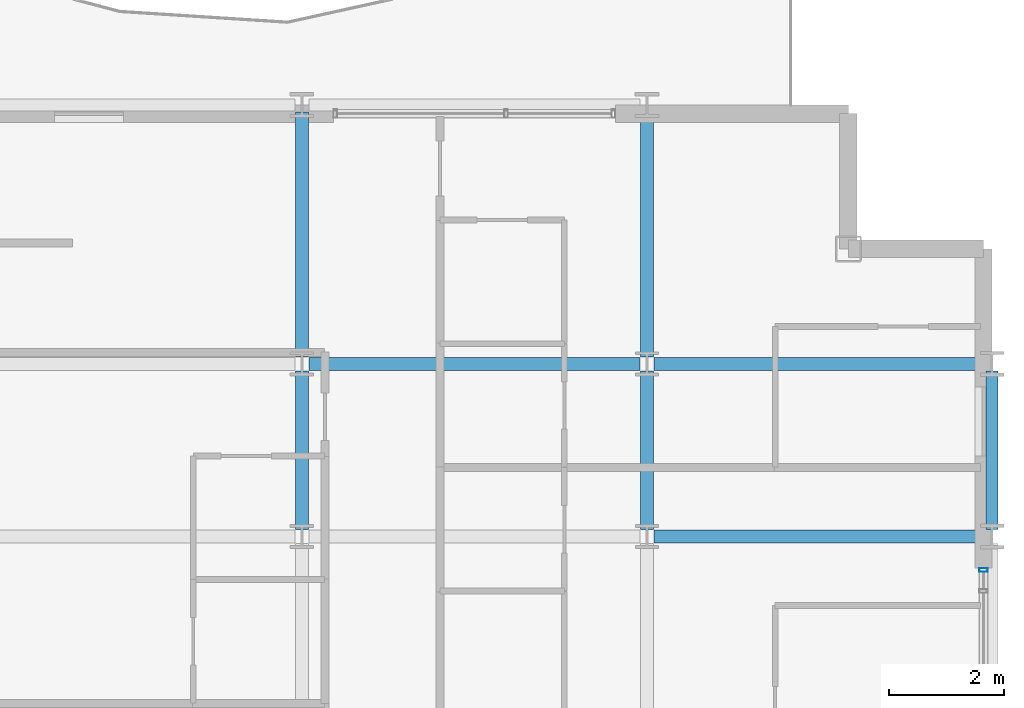
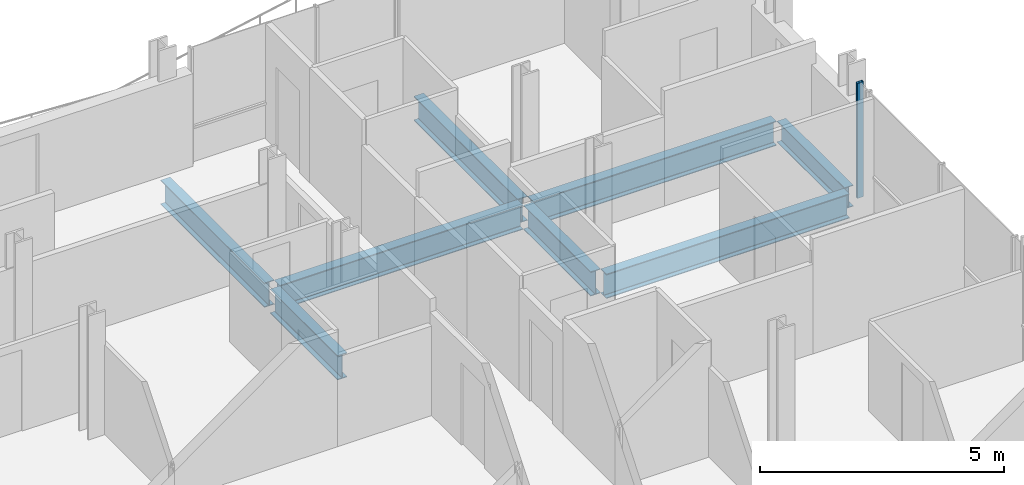
# One storey, part 20 of 40: 8 beams, 1 member, 1 element without a shape of its own.
"""IFC4 building model written with IfcOpenShell, lengths in metres."""

import ifcopenshell
import ifcopenshell.guid

model = None  # the IFC model being written
_history = None  # IfcOwnerHistory: only IFC2X3 demands one
_inside = {}  # id of a spatial element -> (the spatial element, [elements in it])
_under = {}  # id of a project, library or spatial element -> (it, [spatial elements below it])
_declared = {}  # id of a project -> (the project, [libraries it declares])
_typed = {}  # id of a type object -> (the type object, [elements of that type])
_made_of = {}  # id of a material, layer set ... -> (it, [elements and type objects made of it])


def new_model(schema):
    """Start an empty IFC model of exactly this schema.

    Asked for "IFC4X3", IfcOpenShell would pick the latest addendum, in which some entities
    have other attributes; the version numbers below select the first issue.
    IFC2X3 requires an IfcOwnerHistory on every rooted entity: one is made here for all.
    """
    global model, _history
    if schema == "IFC4X3":
        model = ifcopenshell.file(schema_version=(4, 3, 0, 0))
    else:
        model = ifcopenshell.file(schema=schema)
    _inside.clear()
    _under.clear()
    _declared.clear()
    _typed.clear()
    _made_of.clear()
    _history = None
    if model.schema == "IFC2X3":
        org = make("IfcOrganization", Name="unknown")
        user = make(
            "IfcPersonAndOrganization",
            ThePerson=make("IfcPerson", FamilyName="unknown"),
            TheOrganization=org,
        )
        app = make(
            "IfcApplication",
            ApplicationDeveloper=org,
            Version="unknown",
            ApplicationFullName="unknown",
            ApplicationIdentifier="unknown",
        )
        _history = make(
            "IfcOwnerHistory",
            OwningUser=user,
            OwningApplication=app,
            ChangeAction="ADDED",
            CreationDate=0,
        )
    return model


def make(cls, **values):
    """One entity of the class cls with the attributes given. An attribute that is None is left unset."""
    return model.create_entity(
        cls, **{name: value for name, value in values.items() if value is not None}
    )


def rooted(cls, **values):
    """An entity with a GlobalId (a new one), such as an element, a storey or a relation."""
    return make(cls, GlobalId=ifcopenshell.guid.new(), OwnerHistory=_history, **values)


def si_unit(unit_type, name, prefix=None):
    """IfcSIUnit, for example si_unit("LENGTHUNIT", "METRE", prefix="MILLI")."""
    return make("IfcSIUnit", UnitType=unit_type, Prefix=prefix, Name=name)


def assignment(units):
    """IfcUnitAssignment: the units of a project."""
    return None if units is None else make("IfcUnitAssignment", Units=units)


def point(xyz):
    """IfcCartesianPoint."""
    return None if xyz is None else make("IfcCartesianPoint", Coordinates=xyz)


def direction(xyz):
    """IfcDirection."""
    return None if xyz is None else make("IfcDirection", DirectionRatios=xyz)


def frame(location, z_axis=None, x_axis=None):
    """IfcAxis2Placement3D, a coordinate frame: its origin and axes. An axis left out is left unset."""
    return make(
        "IfcAxis2Placement3D",
        Location=point(location),
        Axis=direction(z_axis),
        RefDirection=direction(x_axis),
    )


def frame_2d(location, x_axis=None):
    """IfcAxis2Placement2D, a coordinate frame in the plane: its origin and x axis."""
    return make(
        "IfcAxis2Placement2D", Location=point(location), RefDirection=direction(x_axis)
    )


def origin():
    """The frame at (0, 0, 0) with its axes left unset."""
    return frame((0.0, 0.0, 0.0))


def origin_2d():
    """The frame at (0, 0) in the plane with its x axis left unset."""
    return frame_2d((0.0, 0.0))


def place(relative_to, where):
    """IfcLocalPlacement: puts the frame where relative to a parent placement (None: the world)."""
    return make(
        "IfcLocalPlacement", PlacementRelTo=relative_to, RelativePlacement=where
    )


def context(
    kind, dimensions, precision=None, world=None, true_north=None, identifier=None
):
    """IfcGeometricRepresentationContext, for example the 3D "Model" context."""
    return make(
        "IfcGeometricRepresentationContext",
        ContextIdentifier=identifier,
        ContextType=kind,
        CoordinateSpaceDimension=dimensions,
        Precision=precision,
        WorldCoordinateSystem=world,
        TrueNorth=true_north,
    )


def subcontext(parent, identifier, kind, view, scale=None):
    """IfcGeometricRepresentationSubContext, for example "Body" below "Model"."""
    return make(
        "IfcGeometricRepresentationSubContext",
        ContextIdentifier=identifier,
        ContextType=kind,
        ParentContext=parent,
        TargetScale=scale,
        TargetView=view,
    )


def project(units=None, contexts=None):
    """IfcProject with its units and contexts."""
    return rooted(
        "IfcProject",
        Name="project",
        RepresentationContexts=contexts,
        UnitsInContext=assignment(units),
    )


def spatial(cls, under=None, at=None, **own):
    """A site, building, storey or space (cls), placed at a placement, below another one or the project."""
    s = rooted(cls, ObjectPlacement=at, **own)
    if under is not None:
        _under.setdefault(under.id(), (under, []))[1].append(s)
    return s


def profile(cls, at=None, kind="AREA", **sizes):
    """A parametric profile (cls). Its sizes go by their IFC names, for example OverallWidth=200.0."""
    return make(cls, ProfileType=kind, Position=at, **sizes)


def hollow_rectangle(**sizes):
    """IfcRectangleHollowProfileDef."""
    return profile("IfcRectangleHollowProfileDef", **sizes)


def i_section(**sizes):
    """IfcIShapeProfileDef."""
    return profile("IfcIShapeProfileDef", **sizes)


def extrude(swept, where, along, depth):
    """IfcExtrudedAreaSolid: the profile swept, set in the frame where, extruded along a direction by depth."""
    return make(
        "IfcExtrudedAreaSolid",
        SweptArea=swept,
        Position=where,
        ExtrudedDirection=direction(along),
        Depth=depth,
    )


def shape(context_of_items, identifier, shape_type, items):
    """IfcShapeRepresentation: the items that make up one representation, for example the "Body"."""
    return make(
        "IfcShapeRepresentation",
        ContextOfItems=context_of_items,
        RepresentationIdentifier=identifier,
        RepresentationType=shape_type,
        Items=items,
    )


def material(Name=None, Category=None):
    """IfcMaterial."""
    return make("IfcMaterial", Name=Name, Category=Category)


def layer(
    of_material, thickness, ventilated=None, Name=None, Category=None, Priority=None
):
    """IfcMaterialLayer: one layer of a wall or slab, of a material (None: an air gap)."""
    return make(
        "IfcMaterialLayer",
        Material=of_material,
        LayerThickness=thickness,
        IsVentilated=ventilated,
        Name=Name,
        Category=Category,
        Priority=Priority,
    )


def layer_set(layers, Name=None):
    """IfcMaterialLayerSet."""
    return make("IfcMaterialLayerSet", MaterialLayers=layers, LayerSetName=Name)


def material_profile(
    of_material, cross_section, Name=None, Category=None, Priority=None
):
    """IfcMaterialProfile: a cross section and its material."""
    return make(
        "IfcMaterialProfile",
        Name=Name,
        Material=of_material,
        Profile=cross_section,
        Priority=Priority,
        Category=Category,
    )


def profile_set(profiles, Name=None, composite=None):
    """IfcMaterialProfileSet."""
    return make(
        "IfcMaterialProfileSet",
        Name=Name,
        MaterialProfiles=profiles,
        CompositeProfile=composite,
    )


def made_of(thing, what):
    """Note that an element or type object is made of a material, layer set ...; save() writes the relation."""
    if what is not None:
        _made_of.setdefault(what.id(), (what, []))[1].append(thing)
    return thing


def type_object(cls, material=None, **own):
    """A type object (cls), such as IfcWallType, which elements share."""
    return made_of(rooted(cls, **own), material)


def element(
    cls,
    number,
    at=None,
    inside=None,
    cuts=None,
    type_object=None,
    material=None,
    context=None,
    identifier="Body",
    shape_type=None,
    held_by="IfcProductDefinitionShape",
    body=None,
    shapes=None,
    **own,
):
    """One element of the class cls, such as IfcWall. Its Tag is "e" and its number.

    at: its placement. inside: the storey or other place that contains it. cuts: it is an
    opening in that element (IfcRelVoidsElement). A single representation is given by context,
    identifier, shape_type and body (its items); several are given by shapes. held_by: the class
    of the entity that holds the representations. save() writes the other relations.
    """
    e = rooted(cls, Tag="e%d" % number, ObjectPlacement=at, **own)
    if body is not None:
        shapes = [shape(context, identifier, shape_type, body)]
    if shapes is not None:
        e.Representation = make(held_by, Representations=shapes)
    if inside is not None:
        _inside.setdefault(inside.id(), (inside, []))[1].append(e)
    if cuts is not None:
        rooted(
            "IfcRelVoidsElement", RelatingBuildingElement=cuts, RelatedOpeningElement=e
        )
    if type_object is not None:
        _typed.setdefault(type_object.id(), (type_object, []))[1].append(e)
    return made_of(e, material)


def aggregate(whole, parts):
    """IfcRelAggregates: a whole, such as a stair, and the parts it consists of."""
    return rooted("IfcRelAggregates", RelatingObject=whole, RelatedObjects=parts)


def save(model, path):
    """Write the relations noted so far, then the file.

    IfcRelAggregates (storeys below a building ...), IfcRelContainedInSpatialStructure (elements
    in a storey), IfcRelDefinesByType, IfcRelAssociatesMaterial and IfcRelDeclares: one each for
    every whole, place, type object, material and project.
    """
    for whole, parts in _under.values():
        aggregate(whole, parts)
    for where, things in _inside.values():
        rooted(
            "IfcRelContainedInSpatialStructure",
            RelatedElements=things,
            RelatingStructure=where,
        )
    for kind, things in _typed.values():
        rooted("IfcRelDefinesByType", RelatedObjects=things, RelatingType=kind)
    for what, things in _made_of.values():
        rooted("IfcRelAssociatesMaterial", RelatedObjects=things, RelatingMaterial=what)
    for by, libraries in _declared.values():
        rooted("IfcRelDeclares", RelatingContext=by, RelatedDefinitions=libraries)
    model.write(path)


model = new_model("IFC4")

# Units and contexts
model_context = context("Model", 3, precision=1e-05, world=origin(), true_north=direction((0.0, 1.0)))
body_context = subcontext(model_context, "Body", "Model", "MODEL_VIEW")
ifc_project = project(units=[si_unit("LENGTHUNIT", "METRE"), si_unit("AREAUNIT", "SQUARE_METRE"), si_unit("VOLUMEUNIT", "CUBIC_METRE"), si_unit("PLANEANGLEUNIT", "RADIAN"), si_unit("MASSUNIT", "GRAM", prefix="KILO")], contexts=[model_context])

# Site, building, storey
site_placement = place(None, origin())
site = spatial("IfcSite", under=ifc_project, at=site_placement, CompositionType="ELEMENT")
building_placement = place(site_placement, origin())
building = spatial("IfcBuilding", under=site, at=building_placement, Name="Brevholm Reach", CompositionType="ELEMENT")
storey_placement = place(building_placement, frame((0.0, 0.0, 125.199951171875)))
storey = spatial("IfcBuildingStorey", under=building, at=storey_placement, Name="L37", CompositionType="ELEMENT", Elevation=125.199951171875)

# Beams
ifc_material_1 = material(Name="Structural Steel S355J2", Category="steel")
ifc_material_profile_1 = material_profile(ifc_material_1, i_section(OverallWidth=0.209228515625, OverallDepth=0.533203125, WebThickness=0.010009765625, FlangeThickness=0.015625, FilletRadius=0.0126953125, at=origin_2d()), Name="UKB 533x210x92")
ifc_profile_set_1 = profile_set([ifc_material_profile_1], Name="Structural Steel S355J2")
beam_type_1 = type_object("IfcBeamType", Name="BM-SP533", PredefinedType="SPANDREL", material=ifc_profile_set_1)
beam_1_placement = place(storey_placement, frame((60.0, 23.6201171875, -0.486572265625), z_axis=(0.0, 1.0, 0.0), x_axis=(-1.0, 0.0, 0.0)))
element("IfcBeam", 1, at=beam_1_placement, inside=storey, type_object=beam_type_1, Name="L37 SP-02 Framing Beam", PredefinedType="SPANDREL", context=body_context, shape_type="SweptSolid", body=[
    extrude(i_section(OverallWidth=0.209228515625, OverallDepth=0.533203125, WebThickness=0.010009765625, FlangeThickness=0.015625, FilletRadius=0.0126953125, at=origin_2d()), origin(), (0.0, 0.0, 1.0), 2.759765625),
])
ifc_material_2 = material(Name="Structural Steel S355J2", Category="steel")
ifc_material_profile_2 = material_profile(ifc_material_2, i_section(OverallWidth=0.22900390625, OverallDepth=0.6123046875, WebThickness=0.011962890625, FlangeThickness=0.01953125, FilletRadius=0.0126953125, at=origin_2d()), Name="UKB 610x229x125")
ifc_profile_set_2 = profile_set([ifc_material_profile_2], Name="Structural Steel S355J2")
beam_type_2 = type_object("IfcBeamType", Name="BM-SP610", PredefinedType="SPANDREL", material=ifc_profile_set_2)
for number, where, z_axis, x_axis, name in (
    (2, (54.1201171875, 23.5, -0.526123046875), (1.0, 0.0, 0.0), (0.0, 1.0, 0.0), "L37 SP-01 Framing Beam"),
    (3, (48.1201171875, 26.5, -0.526123046875), (1.0, 0.0, 0.0), (0.0, 1.0, 0.0), "L37 SP-01 Framing Beam"),
    (4, (54.1201171875, 26.5, -0.526123046875), (1.0, 0.0, 0.0), (0.0, 1.0, 0.0), "L37 SP-01 Framing Beam"),
):
    element("IfcBeam", number, at=place(storey_placement, frame(where, z_axis=z_axis, x_axis=x_axis)), inside=storey, type_object=beam_type_2, Name=name, PredefinedType="SPANDREL", context=body_context, shape_type="SweptSolid", body=[
        extrude(i_section(OverallWidth=0.22900390625, OverallDepth=0.6123046875, WebThickness=0.011962890625, FlangeThickness=0.01953125, FilletRadius=0.0126953125, at=origin_2d()), origin(), (0.0, 0.0, 1.0), 5.759765625),
    ])
beam_2_placement = place(storey_placement, frame((48.0, 23.6201171875, -0.526123046875), z_axis=(0.0, 1.0, 0.0), x_axis=(-1.0, 0.0, 0.0)))
element("IfcBeam", 5, at=beam_2_placement, inside=storey, type_object=beam_type_2, Name="L37 SP-01 Framing Beam", PredefinedType="SPANDREL", context=body_context, shape_type="SweptSolid", body=[
    extrude(i_section(OverallWidth=0.22900390625, OverallDepth=0.6123046875, WebThickness=0.011962890625, FlangeThickness=0.01953125, FilletRadius=0.0126953125, at=origin_2d()), origin(), (0.0, 0.0, 1.0), 2.759765625),
])
beam_3_placement = place(storey_placement, frame((48.0, 26.6201171875, -0.526123046875), z_axis=(0.0, 1.0, 0.0), x_axis=(-1.0, 0.0, 0.0)))
element("IfcBeam", 6, at=beam_3_placement, inside=storey, type_object=beam_type_2, Name="L37 SP-01 Framing Beam", PredefinedType="SPANDREL", context=body_context, shape_type="SweptSolid", body=[
    extrude(i_section(OverallWidth=0.22900390625, OverallDepth=0.6123046875, WebThickness=0.011962890625, FlangeThickness=0.01953125, FilletRadius=0.0126953125, at=origin_2d()), origin(), (0.0, 0.0, 1.0), 4.259765625),
])
beam_4_placement = place(storey_placement, frame((54.0, 23.6201171875, -0.526123046875), z_axis=(0.0, 1.0, 0.0), x_axis=(-1.0, 0.0, 0.0)))
element("IfcBeam", 7, at=beam_4_placement, inside=storey, type_object=beam_type_2, Name="L37 SP-01 Framing Beam", PredefinedType="SPANDREL", context=body_context, shape_type="SweptSolid", body=[
    extrude(i_section(OverallWidth=0.22900390625, OverallDepth=0.6123046875, WebThickness=0.011962890625, FlangeThickness=0.01953125, FilletRadius=0.0126953125, at=origin_2d()), origin(), (0.0, 0.0, 1.0), 2.759765625),
])
beam_5_placement = place(storey_placement, frame((54.0, 26.6201171875, -0.526123046875), z_axis=(0.0, 1.0, 0.0), x_axis=(-1.0, 0.0, 0.0)))
element("IfcBeam", 8, at=beam_5_placement, inside=storey, type_object=beam_type_2, Name="L37 SP-01 Framing Beam", PredefinedType="SPANDREL", context=body_context, shape_type="SweptSolid", body=[
    extrude(i_section(OverallWidth=0.22900390625, OverallDepth=0.6123046875, WebThickness=0.011962890625, FlangeThickness=0.01953125, FilletRadius=0.0126953125, at=origin_2d()), origin(), (0.0, 0.0, 1.0), 4.259765625),
])

# Curtain wall, member
ifc_material_3 = material(Name="Dark Anodised Aluminium 6063-T6 and Solar-Control Glass", Category="aluminium")
ifc_layer = layer(ifc_material_3, 0.14990234375)
ifc_layer_set = layer_set([ifc_layer], Name="Dark Anodised Aluminium 6063-T6 and Solar-Control Glass")
curtain_wall_type = type_object("IfcCurtainWallType", Name="CW-01", PredefinedType="NOTDEFINED", material=ifc_layer_set)
curtain_wall_placement = place(storey_placement, origin())
curtain_wall = element("IfcCurtainWall", 9, at=curtain_wall_placement, inside=storey, type_object=curtain_wall_type, Name="L37 Curtain Wall CW-01", PredefinedType="NOTDEFINED")
ifc_material_4 = material(Name="Dark Anodised Aluminium 6063-T6", Category="aluminium")
ifc_material_profile_3 = material_profile(ifc_material_4, hollow_rectangle(XDim=0.06494140625, YDim=0.14990234375, WallThickness=0.0048828125, InnerFilletRadius=0.0048828125, OuterFilletRadius=0.010009765625, at=origin_2d()), Name="RHS 150x65x5")
ifc_profile_set_3 = profile_set([ifc_material_profile_3], Name="Dark Anodised Aluminium 6063-T6")
member_type = type_object("IfcMemberType", Name="CWM-150", PredefinedType="MULLION", material=ifc_profile_set_3)
member_placement = place(storey_placement, frame((59.85009765625, 22.91748046875, 0.0), z_axis=(0.0, 0.0, 1.0), x_axis=(0.0, 1.0, 0.0)))
member = element("IfcMember", 10, at=member_placement, type_object=member_type, Name="CM-150 Mullion 6", PredefinedType="MULLION", context=body_context, shape_type="SweptSolid", body=[
    extrude(hollow_rectangle(XDim=0.06494140625, YDim=0.14990234375, WallThickness=0.0048828125, InnerFilletRadius=0.0048828125, OuterFilletRadius=0.010009765625, at=origin_2d()), origin(), (0.0, 0.0, 1.0), 2.880126953125),
])
aggregate(curtain_wall, [member])

save(model, "model.ifc")
